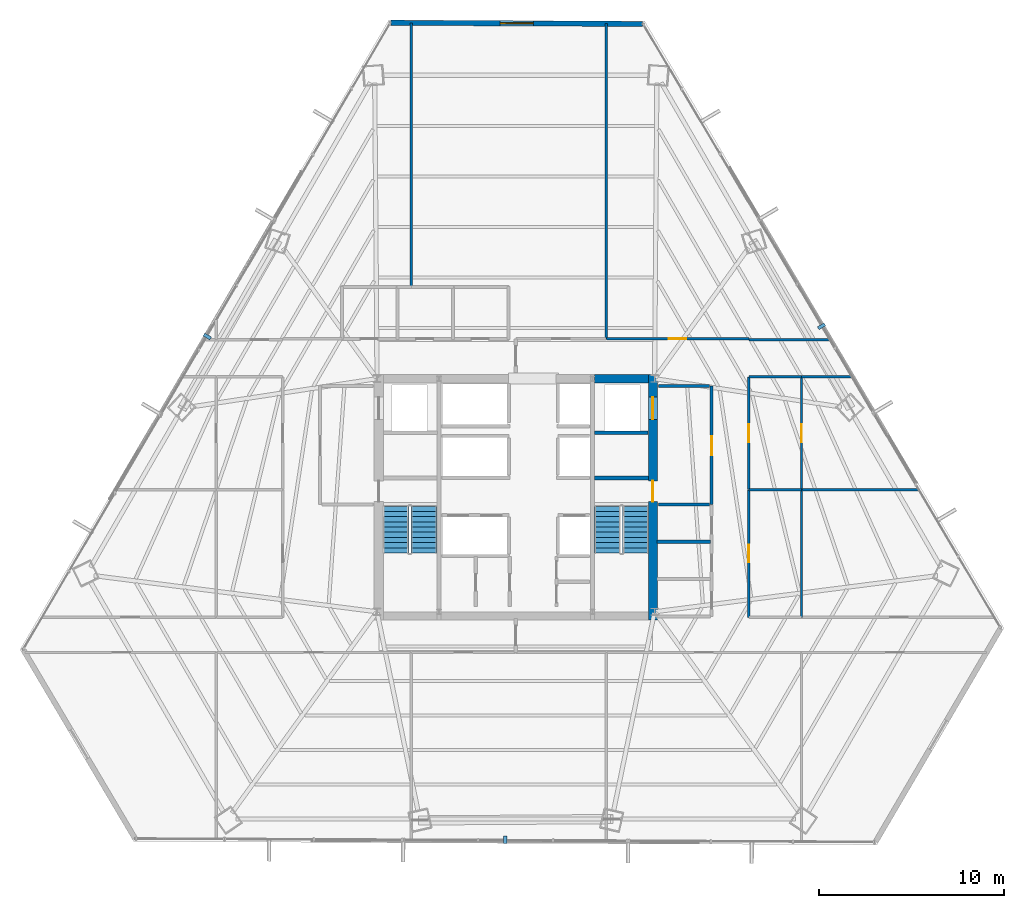
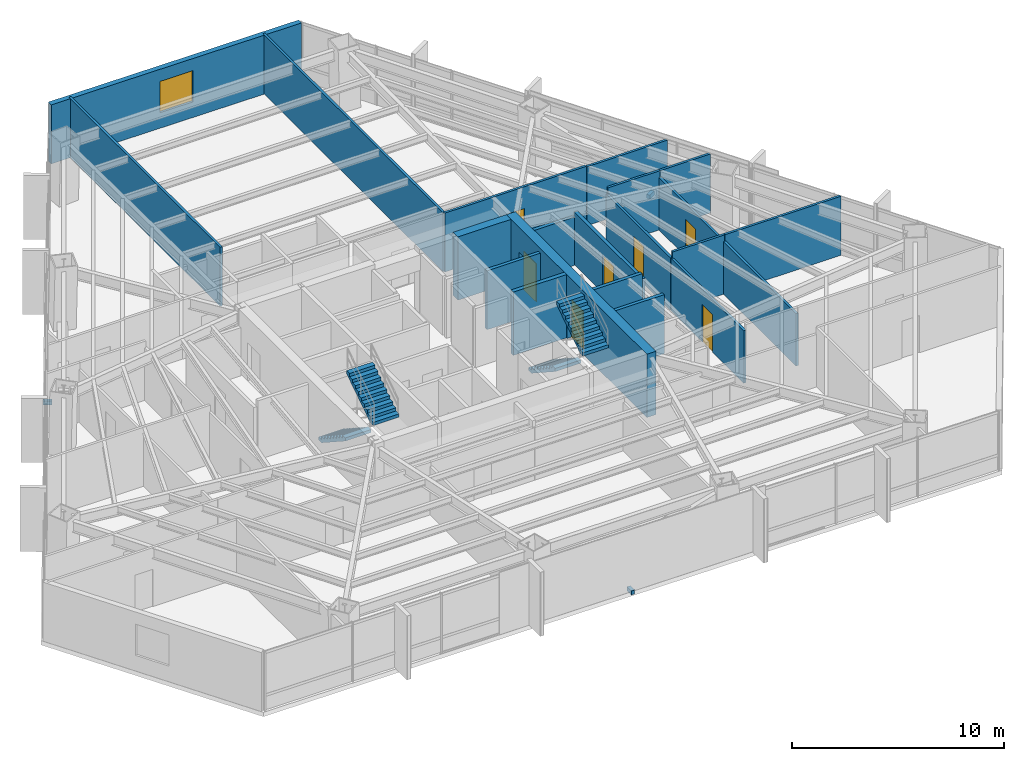
# One storey, part 32 of 35: 21 walls, 7 doors, 4 stair flights, 3 discrete accessories, 1 window, 8 openings, 2 elements without a shape of their own.
"""IFC4 building model written with IfcOpenShell, lengths in metres."""

import ifcopenshell
import ifcopenshell.guid

model = None  # the IFC model being written
_history = None  # IfcOwnerHistory: only IFC2X3 demands one
_inside = {}  # id of a spatial element -> (the spatial element, [elements in it])
_under = {}  # id of a project, library or spatial element -> (it, [spatial elements below it])
_declared = {}  # id of a project -> (the project, [libraries it declares])
_typed = {}  # id of a type object -> (the type object, [elements of that type])
_made_of = {}  # id of a material, layer set ... -> (it, [elements and type objects made of it])


def new_model(schema):
    """Start an empty IFC model of exactly this schema.

    Asked for "IFC4X3", IfcOpenShell would pick the latest addendum, in which some entities
    have other attributes; the version numbers below select the first issue.
    IFC2X3 requires an IfcOwnerHistory on every rooted entity: one is made here for all.
    """
    global model, _history
    if schema == "IFC4X3":
        model = ifcopenshell.file(schema_version=(4, 3, 0, 0))
    else:
        model = ifcopenshell.file(schema=schema)
    _inside.clear()
    _under.clear()
    _declared.clear()
    _typed.clear()
    _made_of.clear()
    _history = None
    if model.schema == "IFC2X3":
        org = make("IfcOrganization", Name="unknown")
        user = make(
            "IfcPersonAndOrganization",
            ThePerson=make("IfcPerson", FamilyName="unknown"),
            TheOrganization=org,
        )
        app = make(
            "IfcApplication",
            ApplicationDeveloper=org,
            Version="unknown",
            ApplicationFullName="unknown",
            ApplicationIdentifier="unknown",
        )
        _history = make(
            "IfcOwnerHistory",
            OwningUser=user,
            OwningApplication=app,
            ChangeAction="ADDED",
            CreationDate=0,
        )
    return model


def make(cls, **values):
    """One entity of the class cls with the attributes given. An attribute that is None is left unset."""
    return model.create_entity(
        cls, **{name: value for name, value in values.items() if value is not None}
    )


def rooted(cls, **values):
    """An entity with a GlobalId (a new one), such as an element, a storey or a relation."""
    return make(cls, GlobalId=ifcopenshell.guid.new(), OwnerHistory=_history, **values)


def si_unit(unit_type, name, prefix=None):
    """IfcSIUnit, for example si_unit("LENGTHUNIT", "METRE", prefix="MILLI")."""
    return make("IfcSIUnit", UnitType=unit_type, Prefix=prefix, Name=name)


def assignment(units):
    """IfcUnitAssignment: the units of a project."""
    return None if units is None else make("IfcUnitAssignment", Units=units)


def point(xyz):
    """IfcCartesianPoint."""
    return None if xyz is None else make("IfcCartesianPoint", Coordinates=xyz)


def direction(xyz):
    """IfcDirection."""
    return None if xyz is None else make("IfcDirection", DirectionRatios=xyz)


def frame(location, z_axis=None, x_axis=None):
    """IfcAxis2Placement3D, a coordinate frame: its origin and axes. An axis left out is left unset."""
    return make(
        "IfcAxis2Placement3D",
        Location=point(location),
        Axis=direction(z_axis),
        RefDirection=direction(x_axis),
    )


def frame_2d(location, x_axis=None):
    """IfcAxis2Placement2D, a coordinate frame in the plane: its origin and x axis."""
    return make(
        "IfcAxis2Placement2D", Location=point(location), RefDirection=direction(x_axis)
    )


def origin():
    """The frame at (0, 0, 0) with its axes left unset."""
    return frame((0.0, 0.0, 0.0))


def origin_2d():
    """The frame at (0, 0) in the plane with its x axis left unset."""
    return frame_2d((0.0, 0.0))


def place(relative_to, where):
    """IfcLocalPlacement: puts the frame where relative to a parent placement (None: the world)."""
    return make(
        "IfcLocalPlacement", PlacementRelTo=relative_to, RelativePlacement=where
    )


def context(
    kind, dimensions, precision=None, world=None, true_north=None, identifier=None
):
    """IfcGeometricRepresentationContext, for example the 3D "Model" context."""
    return make(
        "IfcGeometricRepresentationContext",
        ContextIdentifier=identifier,
        ContextType=kind,
        CoordinateSpaceDimension=dimensions,
        Precision=precision,
        WorldCoordinateSystem=world,
        TrueNorth=true_north,
    )


def subcontext(parent, identifier, kind, view, scale=None):
    """IfcGeometricRepresentationSubContext, for example "Body" below "Model"."""
    return make(
        "IfcGeometricRepresentationSubContext",
        ContextIdentifier=identifier,
        ContextType=kind,
        ParentContext=parent,
        TargetScale=scale,
        TargetView=view,
    )


def project(units=None, contexts=None):
    """IfcProject with its units and contexts."""
    return rooted(
        "IfcProject",
        Name="project",
        RepresentationContexts=contexts,
        UnitsInContext=assignment(units),
    )


def spatial(cls, under=None, at=None, **own):
    """A site, building, storey or space (cls), placed at a placement, below another one or the project."""
    s = rooted(cls, ObjectPlacement=at, **own)
    if under is not None:
        _under.setdefault(under.id(), (under, []))[1].append(s)
    return s


def polyline(points):
    """IfcPolyline through the points."""
    return make("IfcPolyline", Points=[point(p) for p in points])


def profile(cls, at=None, kind="AREA", **sizes):
    """A parametric profile (cls). Its sizes go by their IFC names, for example OverallWidth=200.0."""
    return make(cls, ProfileType=kind, Position=at, **sizes)


def rectangle(**sizes):
    """IfcRectangleProfileDef."""
    return profile("IfcRectangleProfileDef", **sizes)


def outline(outer, holes=None, kind="AREA"):
    """IfcArbitraryClosedProfileDef: a profile drawn as a closed curve; with holes, ...WithVoids."""
    if holes is None:
        return make("IfcArbitraryClosedProfileDef", ProfileType=kind, OuterCurve=outer)
    return make(
        "IfcArbitraryProfileDefWithVoids",
        ProfileType=kind,
        OuterCurve=outer,
        InnerCurves=holes,
    )


def extrude(swept, where, along, depth):
    """IfcExtrudedAreaSolid: the profile swept, set in the frame where, extruded along a direction by depth."""
    return make(
        "IfcExtrudedAreaSolid",
        SweptArea=swept,
        Position=where,
        ExtrudedDirection=direction(along),
        Depth=depth,
    )


def shape(context_of_items, identifier, shape_type, items):
    """IfcShapeRepresentation: the items that make up one representation, for example the "Body"."""
    return make(
        "IfcShapeRepresentation",
        ContextOfItems=context_of_items,
        RepresentationIdentifier=identifier,
        RepresentationType=shape_type,
        Items=items,
    )


def source(mapping_origin, context_of_items, identifier, shape_type, items):
    """IfcRepresentationMap: a shape defined once, which mapped items show again and again."""
    return make(
        "IfcRepresentationMap",
        MappingOrigin=mapping_origin,
        MappedRepresentation=shape(context_of_items, identifier, shape_type, items),
    )


def transform(
    local_origin,
    x_axis=None,
    y_axis=None,
    z_axis=None,
    scale=None,
    scale2=None,
    scale3=None,
    uniform=True,
):
    """IfcCartesianTransformationOperator3D, or its non-uniform kind. x_axis, y_axis, z_axis: its Axis1, 2, 3."""
    if uniform:
        return make(
            "IfcCartesianTransformationOperator3D",
            Axis1=direction(x_axis),
            Axis2=direction(y_axis),
            LocalOrigin=point(local_origin),
            Scale=scale,
            Axis3=direction(z_axis),
        )
    return make(
        "IfcCartesianTransformationOperator3DnonUniform",
        Axis1=direction(x_axis),
        Axis2=direction(y_axis),
        LocalOrigin=point(local_origin),
        Scale=scale,
        Axis3=direction(z_axis),
        Scale2=scale2,
        Scale3=scale3,
    )


def mapped(mapping_source, mapping_target):
    """IfcMappedItem: shows the shape of a source again, moved by a transform."""
    return make(
        "IfcMappedItem", MappingSource=mapping_source, MappingTarget=mapping_target
    )


def material(Name=None, Category=None):
    """IfcMaterial."""
    return make("IfcMaterial", Name=Name, Category=Category)


def layer(
    of_material, thickness, ventilated=None, Name=None, Category=None, Priority=None
):
    """IfcMaterialLayer: one layer of a wall or slab, of a material (None: an air gap)."""
    return make(
        "IfcMaterialLayer",
        Material=of_material,
        LayerThickness=thickness,
        IsVentilated=ventilated,
        Name=Name,
        Category=Category,
        Priority=Priority,
    )


def layer_set(layers, Name=None):
    """IfcMaterialLayerSet."""
    return make("IfcMaterialLayerSet", MaterialLayers=layers, LayerSetName=Name)


def made_of(thing, what):
    """Note that an element or type object is made of a material, layer set ...; save() writes the relation."""
    if what is not None:
        _made_of.setdefault(what.id(), (what, []))[1].append(thing)
    return thing


def type_object(cls, material=None, **own):
    """A type object (cls), such as IfcWallType, which elements share."""
    return made_of(rooted(cls, **own), material)


def type_shapes(of_type, sources):
    """Give a type object the sources (RepresentationMaps) that its elements show as mapped items."""
    of_type.RepresentationMaps = sources


def element(
    cls,
    number,
    at=None,
    inside=None,
    cuts=None,
    type_object=None,
    material=None,
    context=None,
    identifier="Body",
    shape_type=None,
    held_by="IfcProductDefinitionShape",
    body=None,
    shapes=None,
    **own,
):
    """One element of the class cls, such as IfcWall. Its Tag is "e" and its number.

    at: its placement. inside: the storey or other place that contains it. cuts: it is an
    opening in that element (IfcRelVoidsElement). A single representation is given by context,
    identifier, shape_type and body (its items); several are given by shapes. held_by: the class
    of the entity that holds the representations. save() writes the other relations.
    """
    e = rooted(cls, Tag="e%d" % number, ObjectPlacement=at, **own)
    if body is not None:
        shapes = [shape(context, identifier, shape_type, body)]
    if shapes is not None:
        e.Representation = make(held_by, Representations=shapes)
    if inside is not None:
        _inside.setdefault(inside.id(), (inside, []))[1].append(e)
    if cuts is not None:
        rooted(
            "IfcRelVoidsElement", RelatingBuildingElement=cuts, RelatedOpeningElement=e
        )
    if type_object is not None:
        _typed.setdefault(type_object.id(), (type_object, []))[1].append(e)
    return made_of(e, material)


def fill(opening, filler):
    """IfcRelFillsElement: the door or window that sits in an opening."""
    return rooted(
        "IfcRelFillsElement",
        RelatingOpeningElement=opening,
        RelatedBuildingElement=filler,
    )


def aggregate(whole, parts):
    """IfcRelAggregates: a whole, such as a stair, and the parts it consists of."""
    return rooted("IfcRelAggregates", RelatingObject=whole, RelatedObjects=parts)


def save(model, path):
    """Write the relations noted so far, then the file.

    IfcRelAggregates (storeys below a building ...), IfcRelContainedInSpatialStructure (elements
    in a storey), IfcRelDefinesByType, IfcRelAssociatesMaterial and IfcRelDeclares: one each for
    every whole, place, type object, material and project.
    """
    for whole, parts in _under.values():
        aggregate(whole, parts)
    for where, things in _inside.values():
        rooted(
            "IfcRelContainedInSpatialStructure",
            RelatedElements=things,
            RelatingStructure=where,
        )
    for kind, things in _typed.values():
        rooted("IfcRelDefinesByType", RelatedObjects=things, RelatingType=kind)
    for what, things in _made_of.values():
        rooted("IfcRelAssociatesMaterial", RelatedObjects=things, RelatingMaterial=what)
    for by, libraries in _declared.values():
        rooted("IfcRelDeclares", RelatingContext=by, RelatedDefinitions=libraries)
    model.write(path)


model = new_model("IFC4")

# Units and contexts
model_context = context("Model", 3, precision=1e-05, world=origin(), true_north=direction((0.0, 1.0)))
body_context = subcontext(model_context, "Body", "Model", "MODEL_VIEW")
ifc_project = project(units=[si_unit("LENGTHUNIT", "METRE"), si_unit("AREAUNIT", "SQUARE_METRE"), si_unit("VOLUMEUNIT", "CUBIC_METRE"), si_unit("PLANEANGLEUNIT", "RADIAN"), si_unit("MASSUNIT", "GRAM", prefix="KILO")], contexts=[model_context])

# Site, building, storey
site_placement = place(None, origin())
site = spatial("IfcSite", under=ifc_project, at=site_placement, CompositionType="ELEMENT")
building_placement = place(site_placement, origin())
building = spatial("IfcBuilding", under=site, at=building_placement, Name="Caelisora Broadcast Tower", CompositionType="ELEMENT")
storey_placement = place(building_placement, frame((0.0, 0.0, 94.449951171875)))
storey = spatial("IfcBuildingStorey", under=building, at=storey_placement, Name="L24", CompositionType="ELEMENT", Elevation=94.449951171875)

# Wall, openings, doors
ifc_material_1 = material(Name="Concrete 50 MPa (AS 3600 S50)", Category="concrete")
ifc_layer_1 = layer(ifc_material_1, 0.5, Name="Concrete 50 MPa (AS 3600 S50)")
ifc_layer_set_1 = layer_set([ifc_layer_1], Name="Concrete 50 MPa (AS 3600 S50)")
wall_type_1 = type_object("IfcWallType", Name="CW2", PredefinedType="SHEAR", material=ifc_layer_set_1)
wall_1_placement = place(storey_placement, frame((45.409912109375, 16.949951171875, 0.0), z_axis=(0.0, 0.0, 1.0), x_axis=(0.0, 1.0, 0.0)))
wall_1 = element("IfcWall", 1, at=wall_1_placement, inside=storey, type_object=wall_type_1, Name="L24 core shear wall CW2", PredefinedType="SHEAR", context=body_context, shape_type="SweptSolid", body=[
    extrude(rectangle(XDim=13.275146484375, YDim=0.5, at=frame_2d((6.6376953125, 0.0))), origin(), (0.0, 0.0, 1.0), 3.650146484375),
])
opening_1_placement = place(wall_1_placement, frame((6.39990234375, 0.0, 0.0)))
opening_1 = element("IfcOpeningElement", 2, at=opening_1_placement, cuts=wall_1, Name="Opening FD04", PredefinedType="OPENING", context=body_context, shape_type="SweptSolid", body=[
    extrude(rectangle(XDim=1.1201171875, YDim=2.14990234375, at=frame_2d((0.56005859375, 1.074951171875))), frame((0.0, 0.261962890625, 0.0), z_axis=(0.0, -1.0, 0.0), x_axis=(1.0, 0.0, 0.0)), (0.0, 0.0, 1.0), 0.52392578125),
])
opening_2_placement = place(wall_1_placement, frame((10.85009765625, 0.0, 0.0)))
opening_2 = element("IfcOpeningElement", 3, at=opening_2_placement, cuts=wall_1, Name="Opening LD04", PredefinedType="OPENING", context=body_context, shape_type="SweptSolid", body=[
    extrude(rectangle(XDim=1.199951171875, YDim=2.199951171875, at=frame_2d((0.60009765625, 1.10009765625))), frame((0.0, 0.261962890625, 0.0), z_axis=(0.0, -1.0, 0.0), x_axis=(1.0, 0.0, 0.0)), (0.0, 0.0, 1.0), 0.52392578125),
])
ifc_material_2 = material(Name="Pressurised Fire-Isolated Stair Door", Category="steel")
door_type_1 = type_object("IfcDoorType", Name="FD04", OperationType="NOTDEFINED", PredefinedType="DOOR", material=ifc_material_2)
door_1_placement = place(opening_1_placement, origin())
door_1 = element("IfcDoor", 4, at=door_1_placement, inside=storey, type_object=door_type_1, Name="L24 door FD04 (L24-DR-ST2)", OperationType="SINGLE_SWING_RIGHT", OverallHeight=2.14990234375, OverallWidth=1.1201171875, PredefinedType="DOOR", context=body_context, shape_type="SweptSolid", body=[
    extrude(rectangle(XDim=1.1201171875, YDim=2.14990234375, at=frame_2d((0.56005859375, 1.074951171875))), frame((0.0, 0.02490234375, 0.0), z_axis=(0.0, -1.0, 0.0), x_axis=(1.0, 0.0, 0.0)), (0.0, 0.0, 1.0), 0.050048828125),
])
fill(opening_1, door_1)
ifc_material_3 = material(Name="Emergency Firefighting Lift Sliding Landing Door", Category="steel")
door_type_2 = type_object("IfcDoorType", Name="LD04", OperationType="NOTDEFINED", PredefinedType="DOOR", material=ifc_material_3)
door_2_placement = place(opening_2_placement, origin())
door_2 = element("IfcDoor", 5, at=door_2_placement, inside=storey, type_object=door_type_2, Name="L24 door LD04 (L24-LD-FFL2)", OperationType="SLIDING_TO_RIGHT", OverallHeight=2.199951171875, OverallWidth=1.199951171875, PredefinedType="DOOR", context=body_context, shape_type="SweptSolid", body=[
    extrude(rectangle(XDim=1.199951171875, YDim=2.199951171875, at=frame_2d((0.60009765625, 1.10009765625))), frame((0.0, 0.02490234375, 0.0), z_axis=(0.0, -1.0, 0.0), x_axis=(1.0, 0.0, 0.0)), (0.0, 0.0, 1.0), 0.050048828125),
])
fill(opening_2, door_2)

# Walls
ifc_layer_2 = layer(ifc_material_1, 0.449951171875, Name="Concrete 50 MPa (AS 3600 S50)")
ifc_layer_set_2 = layer_set([ifc_layer_2], Name="Concrete 50 MPa (AS 3600 S50)")
wall_type_2 = type_object("IfcWallType", Name="CW5", PredefinedType="SHEAR", material=ifc_layer_set_2)
wall_2_placement = place(storey_placement, frame((42.260009765625, 30.0, 0.0), z_axis=(0.0, 0.0, 1.0), x_axis=(1.0, 0.0, 0.0)))
element("IfcWall", 6, at=wall_2_placement, inside=storey, type_object=wall_type_2, Name="L24 core shear wall CW5", PredefinedType="SHEAR", context=body_context, shape_type="SweptSolid", body=[
    extrude(rectangle(XDim=2.89990234375, YDim=0.449951171875, at=frame_2d((1.449951171875, 0.0))), origin(), (0.0, 0.0, 1.0), 3.650146484375),
])
ifc_layer_3 = layer(ifc_material_1, 0.219970703125, Name="Concrete 50 MPa (AS 3600 S50)")
ifc_layer_set_3 = layer_set([ifc_layer_3], Name="Concrete 50 MPa (AS 3600 S50)")
wall_type_3 = type_object("IfcWallType", Name="CW7", PredefinedType="SHEAR", material=ifc_layer_set_3)
wall_3_placement = place(storey_placement, frame((42.260009765625, 24.639892578125, 0.0), z_axis=(0.0, 0.0, 1.0), x_axis=(1.0, 0.0, 0.0)))
element("IfcWall", 7, at=wall_3_placement, inside=storey, type_object=wall_type_3, Name="L24 core shear wall CW7", PredefinedType="SHEAR", context=body_context, shape_type="SweptSolid", body=[
    extrude(rectangle(XDim=2.89990234375, YDim=0.219970703125, at=frame_2d((1.449951171875, 0.0))), origin(), (0.0, 0.0, 1.0), 3.650146484375),
])

# Wall, opening, window
ifc_material_4 = material(Name="Insulated Terracotta Spandrel Wall System", Category="masonry")
ifc_layer_4 = layer(ifc_material_4, 0.280029296875, Name="Insulated Terracotta Spandrel Wall System")
ifc_layer_set_4 = layer_set([ifc_layer_4], Name="Insulated Terracotta Spandrel Wall System")
wall_type_4 = type_object("IfcWallType", Name="EW1", PredefinedType="STANDARD", material=ifc_layer_set_4)
wall_4_placement = place(storey_placement, frame((31.2529296875, 49.23388671875, 0.0), z_axis=(0.0, 0.0, 1.0), x_axis=(0.999989362532, -0.004612463946, 0.0)))
wall_4 = element("IfcWall", 8, at=wall_4_placement, inside=storey, type_object=wall_type_4, Name="L24 exterior envelope wall EW1", PredefinedType="STANDARD", context=body_context, shape_type="SweptSolid", body=[
    extrude(rectangle(XDim=13.603271484375, YDim=0.280029296875, at=frame_2d((6.8017578125, 0.0))), origin(), (0.0, 0.0, 1.0), 3.400146484375),
])
opening_3_placement = place(wall_4_placement, frame((5.89990234375, 0.0, 0.89990234375)))
opening_3 = element("IfcOpeningElement", 9, at=opening_3_placement, cuts=wall_4, Name="Opening W01", PredefinedType="OPENING", context=body_context, shape_type="SweptSolid", body=[
    extrude(rectangle(XDim=1.800048828125, YDim=1.800048828125, at=frame_2d((0.89990234375, 0.89990234375))), frame((0.0, 0.152099609375, 0.0), z_axis=(0.0, -1.0, 0.0), x_axis=(1.0, 0.0, 0.0)), (0.0, 0.0, 1.0), 0.303955078125),
])
ifc_material_5 = material(Name="Double Glazed Terracotta-Framed Vision Window", Category="glass")
window_type = type_object("IfcWindowType", Name="W01", PartitioningType="SINGLE_PANEL", PredefinedType="WINDOW", material=ifc_material_5)
window_placement = place(opening_3_placement, origin())
window = element("IfcWindow", 10, at=window_placement, inside=storey, type_object=window_type, Name="L24 window W01 (L24-WN-CH8)", OverallHeight=1.800048828125, OverallWidth=1.800048828125, PartitioningType="SINGLE_PANEL", PredefinedType="WINDOW", context=body_context, shape_type="SweptSolid", body=[
    extrude(rectangle(XDim=1.800048828125, YDim=1.800048828125, at=frame_2d((0.89990234375, 0.89990234375))), frame((0.0, 0.030029296875, 0.0), z_axis=(0.0, -1.0, 0.0), x_axis=(1.0, 0.0, 0.0)), (0.0, 0.0, 1.0), 0.06005859375),
])
fill(opening_3, window)

# Wall, opening, door
ifc_material_6 = material(Name="Fire-Rated Gypsum Shaft and Compartment Wall", Category="gypsum")
ifc_layer_5 = layer(ifc_material_6, 0.179931640625, Name="Fire-Rated Gypsum Shaft and Compartment Wall")
ifc_layer_set_5 = layer_set([ifc_layer_5], Name="Fire-Rated Gypsum Shaft and Compartment Wall")
wall_type_5 = type_object("IfcWallType", Name="PW2", PredefinedType="PARTITIONING", material=ifc_layer_set_5)
wall_5_placement = place(storey_placement, frame((48.580078125, 23.199951171875, 0.0), z_axis=(0.0, 0.0, 1.0), x_axis=(0.0, 1.0, 0.0)))
wall_5 = element("IfcWall", 11, at=wall_5_placement, inside=storey, type_object=wall_type_5, Name="L24 fire compartment wall PW2", PredefinedType="PARTITIONING", context=body_context, shape_type="SweptSolid", body=[
    extrude(rectangle(XDim=6.400146484375, YDim=0.179931640625, at=frame_2d((3.2001953125, 0.0))), origin(), (0.0, 0.0, 1.0), 3.0263671875),
])
opening_4_placement = place(wall_5_placement, frame((2.64990234375, 0.0, 0.0)))
opening_4 = element("IfcOpeningElement", 12, at=opening_4_placement, cuts=wall_5, Name="Opening FD02", PredefinedType="OPENING", context=body_context, shape_type="SweptSolid", body=[
    extrude(rectangle(XDim=1.050048828125, YDim=2.14990234375, at=frame_2d((0.52490234375, 1.074951171875))), frame((0.0, 0.10205078125, 0.0), z_axis=(0.0, -1.0, 0.0), x_axis=(1.0, 0.0, 0.0)), (0.0, 0.0, 1.0), 0.203857421875),
])
ifc_material_7 = material(Name="Single-Leaf Steel Fire Lobby Door", Category="steel")
door_type_3 = type_object("IfcDoorType", Name="FD02", OperationType="NOTDEFINED", PredefinedType="DOOR", material=ifc_material_7)
door_3_placement = place(opening_4_placement, origin())
door_3 = element("IfcDoor", 13, at=door_3_placement, inside=storey, type_object=door_type_3, Name="L24 door FD02 (L24-DR-P04D1)", OperationType="SINGLE_SWING_LEFT", OverallHeight=2.14990234375, OverallWidth=1.050048828125, PredefinedType="DOOR", context=body_context, shape_type="SweptSolid", body=[
    extrude(rectangle(XDim=1.050048828125, YDim=2.14990234375, at=frame_2d((0.52490234375, 1.074951171875))), frame((0.0, 0.02490234375, 0.0), z_axis=(0.0, -1.0, 0.0), x_axis=(1.0, 0.0, 0.0)), (0.0, 0.0, 1.0), 0.050048828125),
])
fill(opening_4, door_3)

# Walls
wall_6_placement = place(storey_placement, frame((45.719970703125, 23.199951171875, 0.0), z_axis=(0.0, 0.0, 1.0), x_axis=(1.0, 0.0, 0.0)))
element("IfcWall", 14, at=wall_6_placement, inside=storey, type_object=wall_type_5, Name="L24 fire compartment wall PW2", PredefinedType="PARTITIONING", context=body_context, shape_type="SweptSolid", body=[
    extrude(rectangle(XDim=2.760009765625, YDim=0.179931640625, at=frame_2d((1.3798828125, 0.0))), origin(), (0.0, 0.0, 1.0), 3.400146484375),
])
wall_7_placement = place(storey_placement, frame((45.719970703125, 29.60009765625, 0.0), z_axis=(0.0, 0.0, 1.0), x_axis=(1.0, 0.0, 0.0)))
element("IfcWall", 15, at=wall_7_placement, inside=storey, type_object=wall_type_5, Name="L24 fire compartment wall PW2", PredefinedType="PARTITIONING", context=body_context, shape_type="SweptSolid", body=[
    extrude(rectangle(XDim=2.760009765625, YDim=0.179931640625, at=frame_2d((1.3798828125, 0.0))), origin(), (0.0, 0.0, 1.0), 2.782958984375),
])
for number, where, z_axis, x_axis, name in (
    (16, (42.239990234375, 27.070068359375, 0.0), (0.0, 0.0, 1.0), (1.0, 0.0, 0.0), "L24 fire compartment wall PW2"),
    (17, (45.6201171875, 21.18994140625, 0.0), (0.0, 0.0, 1.0), (1.0, 0.0, 0.0), "L24 fire compartment wall PW2"),
):
    element("IfcWall", number, at=place(storey_placement, frame(where, z_axis=z_axis, x_axis=x_axis)), inside=storey, type_object=wall_type_5, Name=name, PredefinedType="PARTITIONING", context=body_context, shape_type="SweptSolid", body=[
        extrude(rectangle(XDim=2.89990234375, YDim=0.179931640625, at=frame_2d((1.449951171875, 0.0))), origin(), (0.0, 0.0, 1.0), 3.400146484375),
    ])
ifc_material_8 = material(Name="Acoustic Steel-Stud Plasterboard Partition", Category="gypsum")
ifc_layer_6 = layer(ifc_material_8, 0.1298828125, Name="Acoustic Steel-Stud Plasterboard Partition")
ifc_layer_set_6 = layer_set([ifc_layer_6], Name="Acoustic Steel-Stud Plasterboard Partition")
wall_type_6 = type_object("IfcWallType", Name="PW3", PredefinedType="PARTITIONING", material=ifc_layer_set_6)
wall_8_placement = place(storey_placement, frame((42.889892578125, 32.155029296875, 0.0), z_axis=(0.0, 0.0, 1.0), x_axis=(0.0, 1.0, 0.0)))
element("IfcWall", 18, at=wall_8_placement, inside=storey, type_object=wall_type_6, Name="L24 internal partition PW3", PredefinedType="PARTITIONING", context=body_context, shape_type="SweptSolid", body=[
    extrude(rectangle(XDim=17.030517578125, YDim=0.1298828125, at=frame_2d((8.51513671875, 0.0))), origin(), (0.0, 0.0, 1.0), 3.400146484375),
])
wall_9_placement = place(storey_placement, frame((32.35009765625, 34.955078125, 0.0), z_axis=(0.0, 0.0, 1.0), x_axis=(0.0, 1.0, 0.0)))
element("IfcWall", 19, at=wall_9_placement, inside=storey, type_object=wall_type_6, Name="L24 internal partition PW3", PredefinedType="PARTITIONING", context=body_context, shape_type="SweptSolid", body=[
    extrude(rectangle(XDim=14.2783203125, YDim=0.1298828125, at=frame_2d((7.13916015625, 0.0))), origin(), (0.0, 0.0, 1.0), 3.400146484375),
])

# Wall, opening, door
wall_10_placement = place(storey_placement, frame((42.89501953125, 32.14990234375, 0.0), z_axis=(0.0, 0.0, 1.0), x_axis=(1.0, 0.0, 0.0)))
wall_10 = element("IfcWall", 20, at=wall_10_placement, inside=storey, type_object=wall_type_6, Name="L24 internal partition PW3", PredefinedType="PARTITIONING", context=body_context, shape_type="SweptSolid", body=[
    extrude(rectangle(XDim=7.699951171875, YDim=0.1298828125, at=frame_2d((3.85009765625, 0.0))), origin(), (0.0, 0.0, 1.0), 3.400146484375),
])
opening_5_placement = place(wall_10_placement, frame((3.3701171875, 0.0, 0.0)))
opening_5 = element("IfcOpeningElement", 21, at=opening_5_placement, cuts=wall_10, Name="Opening D01", PredefinedType="OPENING", context=body_context, shape_type="SweptSolid", body=[
    extrude(rectangle(XDim=0.9599609375, YDim=2.14990234375, at=frame_2d((0.47998046875, 1.074951171875))), frame((0.0, 0.076904296875, 0.0), z_axis=(0.0, -1.0, 0.0), x_axis=(1.0, 0.0, 0.0)), (0.0, 0.0, 1.0), 0.15380859375),
])
ifc_material_9 = material(Name="Solid-Core Timber Acoustic Office Door", Category="wood")
door_type_4 = type_object("IfcDoorType", Name="D01", OperationType="NOTDEFINED", PredefinedType="DOOR", material=ifc_material_9)
door_4_placement = place(opening_5_placement, origin())
door_4 = element("IfcDoor", 22, at=door_4_placement, inside=storey, type_object=door_type_4, Name="L24 door D01 (L24-DR-P42D1)", OperationType="SINGLE_SWING_RIGHT", OverallHeight=2.14990234375, OverallWidth=0.9599609375, PredefinedType="DOOR", context=body_context, shape_type="SweptSolid", body=[
    extrude(rectangle(XDim=0.9599609375, YDim=2.14990234375, at=frame_2d((0.47998046875, 1.074951171875))), frame((0.0, 0.02490234375, 0.0), z_axis=(0.0, -1.0, 0.0), x_axis=(1.0, 0.0, 0.0)), (0.0, 0.0, 1.0), 0.050048828125),
])
fill(opening_5, door_4)

wall_11_placement = place(storey_placement, frame((50.60009765625, 17.10498046875, 0.0), z_axis=(0.0, 0.0, 1.0), x_axis=(0.0, 1.0, 0.0)))
wall_11 = element("IfcWall", 23, at=wall_11_placement, inside=storey, type_object=wall_type_6, Name="L24 internal partition PW3", PredefinedType="PARTITIONING", context=body_context, shape_type="SweptSolid", body=[
    extrude(rectangle(XDim=6.89013671875, YDim=0.1298828125, at=frame_2d((3.445068359375, 0.0))), origin(), (0.0, 0.0, 1.0), 3.0263671875),
])
opening_6_placement = place(wall_11_placement, frame((2.965087890625, 0.0, 0.0)))
opening_6 = element("IfcOpeningElement", 24, at=opening_6_placement, cuts=wall_11, Name="Opening D01", PredefinedType="OPENING", context=body_context, shape_type="SweptSolid", body=[
    extrude(rectangle(XDim=0.9599609375, YDim=2.14990234375, at=frame_2d((0.47998046875, 1.074951171875))), frame((0.0, 0.076904296875, 0.0), z_axis=(0.0, -1.0, 0.0), x_axis=(1.0, 0.0, 0.0)), (0.0, 0.0, 1.0), 0.15380859375),
])
door_5_placement = place(opening_6_placement, origin())
door_5 = element("IfcDoor", 25, at=door_5_placement, inside=storey, type_object=door_type_4, Name="L24 door D01 (L24-DR-P44D1)", OperationType="SINGLE_SWING_RIGHT", OverallHeight=2.14990234375, OverallWidth=0.9599609375, PredefinedType="DOOR", context=body_context, shape_type="SweptSolid", body=[
    extrude(rectangle(XDim=0.9599609375, YDim=2.14990234375, at=frame_2d((0.47998046875, 1.074951171875))), frame((0.0, 0.02490234375, 0.0), z_axis=(0.0, -1.0, 0.0), x_axis=(1.0, 0.0, 0.0)), (0.0, 0.0, 1.0), 0.050048828125),
])
fill(opening_6, door_5)

# Walls
wall_12_placement = place(storey_placement, frame((53.43994140625, 17.10498046875, 0.0), z_axis=(0.0, 0.0, 1.0), x_axis=(0.0, 1.0, 0.0)))
element("IfcWall", 26, at=wall_12_placement, inside=storey, type_object=wall_type_6, Name="L24 internal partition PW3", PredefinedType="PARTITIONING", context=body_context, shape_type="SweptSolid", body=[
    extrude(rectangle(XDim=6.89013671875, YDim=0.1298828125, at=frame_2d((3.445068359375, 0.0))), origin(), (0.0, 0.0, 1.0), 3.0263671875),
])
wall_13_placement = place(storey_placement, frame((53.445068359375, 24.0, 0.0), z_axis=(0.0, 0.0, 1.0), x_axis=(1.0, 0.0, 0.0)))
element("IfcWall", 27, at=wall_13_placement, inside=storey, type_object=wall_type_6, Name="L24 internal partition PW3", PredefinedType="PARTITIONING", context=body_context, shape_type="SweptSolid", body=[
    extrude(rectangle(XDim=6.344482421875, YDim=0.1298828125, at=frame_2d((3.17236328125, 0.0))), origin(), (0.0, 0.0, 1.0), 3.400146484375),
])

# Wall, opening, door
wall_14_placement = place(storey_placement, frame((50.60009765625, 24.0048828125, 0.0), z_axis=(0.0, 0.0, 1.0), x_axis=(0.0, 1.0, 0.0)))
wall_14 = element("IfcWall", 28, at=wall_14_placement, inside=storey, type_object=wall_type_6, Name="L24 internal partition PW3", PredefinedType="PARTITIONING", context=body_context, shape_type="SweptSolid", body=[
    extrude(rectangle(XDim=6.090087890625, YDim=0.1298828125, at=frame_2d((3.044921875, 0.0))), origin(), (0.0, 0.0, 1.0), 3.0263671875),
])
opening_7_placement = place(wall_14_placement, frame((2.56494140625, 0.0, 0.0)))
opening_7 = element("IfcOpeningElement", 29, at=opening_7_placement, cuts=wall_14, Name="Opening D01", PredefinedType="OPENING", context=body_context, shape_type="SweptSolid", body=[
    extrude(rectangle(XDim=0.9599609375, YDim=2.14990234375, at=frame_2d((0.47998046875, 1.074951171875))), frame((0.0, 0.076904296875, 0.0), z_axis=(0.0, -1.0, 0.0), x_axis=(1.0, 0.0, 0.0)), (0.0, 0.0, 1.0), 0.15380859375),
])
door_6_placement = place(opening_7_placement, origin())
door_6 = element("IfcDoor", 30, at=door_6_placement, inside=storey, type_object=door_type_4, Name="L24 door D01 (L24-DR-P49D1)", OperationType="SINGLE_SWING_RIGHT", OverallHeight=2.14990234375, OverallWidth=0.9599609375, PredefinedType="DOOR", context=body_context, shape_type="SweptSolid", body=[
    extrude(rectangle(XDim=0.9599609375, YDim=2.14990234375, at=frame_2d((0.47998046875, 1.074951171875))), frame((0.0, 0.02490234375, 0.0), z_axis=(0.0, -1.0, 0.0), x_axis=(1.0, 0.0, 0.0)), (0.0, 0.0, 1.0), 0.050048828125),
])
fill(opening_7, door_6)

wall_15_placement = place(storey_placement, frame((53.43994140625, 24.0048828125, 0.0), z_axis=(0.0, 0.0, 1.0), x_axis=(0.0, 1.0, 0.0)))
wall_15 = element("IfcWall", 31, at=wall_15_placement, inside=storey, type_object=wall_type_6, Name="L24 internal partition PW3", PredefinedType="PARTITIONING", context=body_context, shape_type="SweptSolid", body=[
    extrude(rectangle(XDim=6.090087890625, YDim=0.1298828125, at=frame_2d((3.044921875, 0.0))), origin(), (0.0, 0.0, 1.0), 3.0263671875),
])
opening_8_placement = place(wall_15_placement, frame((2.56494140625, 0.0, 0.0)))
opening_8 = element("IfcOpeningElement", 32, at=opening_8_placement, cuts=wall_15, Name="Opening D01", PredefinedType="OPENING", context=body_context, shape_type="SweptSolid", body=[
    extrude(rectangle(XDim=0.9599609375, YDim=2.14990234375, at=frame_2d((0.47998046875, 1.074951171875))), frame((0.0, 0.076904296875, 0.0), z_axis=(0.0, -1.0, 0.0), x_axis=(1.0, 0.0, 0.0)), (0.0, 0.0, 1.0), 0.15380859375),
])
door_7_placement = place(opening_8_placement, origin())
door_7 = element("IfcDoor", 33, at=door_7_placement, inside=storey, type_object=door_type_4, Name="L24 door D01 (L24-DR-P50D1)", OperationType="SINGLE_SWING_LEFT", OverallHeight=2.14990234375, OverallWidth=0.9599609375, PredefinedType="DOOR", context=body_context, shape_type="SweptSolid", body=[
    extrude(rectangle(XDim=0.9599609375, YDim=2.14990234375, at=frame_2d((0.47998046875, 1.074951171875))), frame((0.0, 0.02490234375, 0.0), z_axis=(0.0, -1.0, 0.0), x_axis=(1.0, 0.0, 0.0)), (0.0, 0.0, 1.0), 0.050048828125),
])
fill(opening_8, door_7)

# Walls
wall_16_placement = place(storey_placement, frame((50.60498046875, 32.10009765625, 0.0), z_axis=(0.0, 0.0, 1.0), x_axis=(1.0, 0.0, 0.0)))
element("IfcWall", 34, at=wall_16_placement, inside=storey, type_object=wall_type_6, Name="L24 internal partition PW3", PredefinedType="PARTITIONING", context=body_context, shape_type="SweptSolid", body=[
    extrude(rectangle(XDim=4.390625, YDim=0.1298828125, at=frame_2d((2.1953125, 0.0))), origin(), (0.0, 0.0, 1.0), 3.400146484375),
])
wall_17_placement = place(storey_placement, frame((53.445068359375, 30.10009765625, 0.0), z_axis=(0.0, 0.0, 1.0), x_axis=(1.0, 0.0, 0.0)))
element("IfcWall", 35, at=wall_17_placement, inside=storey, type_object=wall_type_6, Name="L24 internal partition PW3", PredefinedType="PARTITIONING", context=body_context, shape_type="SweptSolid", body=[
    extrude(rectangle(XDim=2.734130859375, YDim=0.1298828125, at=frame_2d((1.3671875, 0.0))), origin(), (0.0, 0.0, 1.0), 3.400146484375),
])
for number, where, z_axis, x_axis, name in (
    (36, (50.60498046875, 30.10009765625, 0.0), (0.0, 0.0, 1.0), (1.0, 0.0, 0.0), "L24 internal partition PW3"),
    (37, (50.60498046875, 24.0, 0.0), (0.0, 0.0, 1.0), (1.0, 0.0, 0.0), "L24 internal partition PW3"),
):
    element("IfcWall", number, at=place(storey_placement, frame(where, z_axis=z_axis, x_axis=x_axis)), inside=storey, type_object=wall_type_6, Name=name, PredefinedType="PARTITIONING", context=body_context, shape_type="SweptSolid", body=[
        extrude(rectangle(XDim=2.830078125, YDim=0.1298828125, at=frame_2d((1.4150390625, 0.0))), origin(), (0.0, 0.0, 1.0), 3.400146484375),
    ])

# Stair, stair flights
ifc_material_10 = material(Name="Concrete 40 MPa (AS 3600 N40)", Category="concrete")
stair_type_1 = type_object("IfcStairType", Name="ST-1", PredefinedType="HALF_TURN_STAIR", material=ifc_material_10)
stair_1_placement = place(storey_placement, origin())
stair_1 = element("IfcStair", 38, at=stair_1_placement, inside=storey, type_object=stair_type_1, Name="L24 West Fire-Isolated Tower Stair", PredefinedType="HALF_TURN_STAIR")
stair_flight_type = type_object("IfcStairFlightType", Name="STF-2", PredefinedType="STRAIGHT", material=ifc_material_10)
stair_flight_1_placement = place(storey_placement, frame((31.52001953125, 23.10009765625, 0.0), z_axis=(0.0, 0.0, 1.0), x_axis=(0.0, -1.0, 0.0)))
stair_flight_1 = element("IfcStairFlight", 39, at=stair_flight_1_placement, type_object=stair_flight_type, Name="ST-1 flight 1", NumberOfRisers=10, NumberOfTreads=9, PredefinedType="STRAIGHT", RiserHeight=0.1825, TreadLength=0.28, context=body_context, shape_type="SweptSolid", body=[
    extrude(outline(polyline([(0.0, 0.0), (0.0, 0.1826171875), (0.280029296875, 0.1826171875), (0.280029296875, 0.364990234375), (0.56005859375, 0.364990234375), (0.56005859375, 0.547607421875), (0.840087890625, 0.547607421875), (0.840087890625, 0.72998046875), (1.1201171875, 0.72998046875), (1.1201171875, 0.91259765625), (1.39990234375, 0.91259765625), (1.39990234375, 1.094970703125), (1.679931640625, 1.094970703125), (1.679931640625, 1.277587890625), (1.9599609375, 1.277587890625), (1.9599609375, 1.4599609375), (2.239990234375, 1.4599609375), (2.239990234375, 1.642578125), (2.52001953125, 1.642578125), (2.52001953125, 1.824951171875), (2.52001953125, 1.463623046875), (0.2744140625, 0.0), (0.0, 0.0)])), frame((0.0, 0.699951171875, 0.0), z_axis=(0.0, -1.0, 0.0), x_axis=(1.0, 0.0, 0.0)), (0.0, 0.0, 1.0), 1.39990234375),
])
stair_flight_2_placement = place(storey_placement, frame((33.0400390625, 20.580078125, 1.824951171875), z_axis=(0.0, 0.0, 1.0), x_axis=(0.0, 1.0, 0.0)))
stair_flight_2 = element("IfcStairFlight", 40, at=stair_flight_2_placement, type_object=stair_flight_type, Name="ST-1 flight 2", NumberOfRisers=10, NumberOfTreads=9, PredefinedType="STRAIGHT", RiserHeight=0.1825, TreadLength=0.28, context=body_context, shape_type="SweptSolid", body=[
    extrude(outline(polyline([(0.0, 0.0), (0.0, 0.1826171875), (0.280029296875, 0.1826171875), (0.280029296875, 0.364990234375), (0.56005859375, 0.364990234375), (0.56005859375, 0.547607421875), (0.840087890625, 0.547607421875), (0.840087890625, 0.72998046875), (1.1201171875, 0.72998046875), (1.1201171875, 0.91259765625), (1.39990234375, 0.91259765625), (1.39990234375, 1.094970703125), (1.679931640625, 1.094970703125), (1.679931640625, 1.277587890625), (1.9599609375, 1.277587890625), (1.9599609375, 1.4599609375), (2.239990234375, 1.4599609375), (2.239990234375, 1.642578125), (2.52001953125, 1.642578125), (2.52001953125, 1.824951171875), (2.52001953125, 1.463623046875), (0.2744140625, 0.0), (0.0, 0.0)])), frame((0.0, 0.699951171875, 0.0), z_axis=(0.0, -1.0, 0.0), x_axis=(1.0, 0.0, 0.0)), (0.0, 0.0, 1.0), 1.39990234375),
])
aggregate(stair_1, [stair_flight_1, stair_flight_2])

stair_type_2 = type_object("IfcStairType", Name="ST-2", PredefinedType="HALF_TURN_STAIR", material=ifc_material_10)
stair_2_placement = place(storey_placement, origin())
stair_2 = element("IfcStair", 41, at=stair_2_placement, inside=storey, type_object=stair_type_2, Name="L24 East Fire-Isolated Tower Stair", PredefinedType="HALF_TURN_STAIR")
stair_flight_3_placement = place(storey_placement, frame((42.9599609375, 23.10009765625, 0.0), z_axis=(0.0, 0.0, 1.0), x_axis=(0.0, -1.0, 0.0)))
stair_flight_3 = element("IfcStairFlight", 42, at=stair_flight_3_placement, type_object=stair_flight_type, Name="ST-2 flight 1", NumberOfRisers=10, NumberOfTreads=9, PredefinedType="STRAIGHT", RiserHeight=0.1825, TreadLength=0.28, context=body_context, shape_type="SweptSolid", body=[
    extrude(outline(polyline([(0.0, 0.0), (0.0, 0.1826171875), (0.280029296875, 0.1826171875), (0.280029296875, 0.364990234375), (0.56005859375, 0.364990234375), (0.56005859375, 0.547607421875), (0.840087890625, 0.547607421875), (0.840087890625, 0.72998046875), (1.1201171875, 0.72998046875), (1.1201171875, 0.91259765625), (1.39990234375, 0.91259765625), (1.39990234375, 1.094970703125), (1.679931640625, 1.094970703125), (1.679931640625, 1.277587890625), (1.9599609375, 1.277587890625), (1.9599609375, 1.4599609375), (2.239990234375, 1.4599609375), (2.239990234375, 1.642578125), (2.52001953125, 1.642578125), (2.52001953125, 1.824951171875), (2.52001953125, 1.463623046875), (0.2744140625, 0.0), (0.0, 0.0)])), frame((0.0, 0.699951171875, 0.0), z_axis=(0.0, -1.0, 0.0), x_axis=(1.0, 0.0, 0.0)), (0.0, 0.0, 1.0), 1.39990234375),
])
stair_flight_4_placement = place(storey_placement, frame((44.47998046875, 20.580078125, 1.824951171875), z_axis=(0.0, 0.0, 1.0), x_axis=(0.0, 1.0, 0.0)))
stair_flight_4 = element("IfcStairFlight", 43, at=stair_flight_4_placement, type_object=stair_flight_type, Name="ST-2 flight 2", NumberOfRisers=10, NumberOfTreads=9, PredefinedType="STRAIGHT", RiserHeight=0.1825, TreadLength=0.28, context=body_context, shape_type="SweptSolid", body=[
    extrude(outline(polyline([(0.0, 0.0), (0.0, 0.1826171875), (0.280029296875, 0.1826171875), (0.280029296875, 0.364990234375), (0.56005859375, 0.364990234375), (0.56005859375, 0.547607421875), (0.840087890625, 0.547607421875), (0.840087890625, 0.72998046875), (1.1201171875, 0.72998046875), (1.1201171875, 0.91259765625), (1.39990234375, 0.91259765625), (1.39990234375, 1.094970703125), (1.679931640625, 1.094970703125), (1.679931640625, 1.277587890625), (1.9599609375, 1.277587890625), (1.9599609375, 1.4599609375), (2.239990234375, 1.4599609375), (2.239990234375, 1.642578125), (2.52001953125, 1.642578125), (2.52001953125, 1.824951171875), (2.52001953125, 1.463623046875), (0.2744140625, 0.0), (0.0, 0.0)])), frame((0.0, 0.699951171875, 0.0), z_axis=(0.0, -1.0, 0.0), x_axis=(1.0, 0.0, 0.0)), (0.0, 0.0, 1.0), 1.39990234375),
])
aggregate(stair_2, [stair_flight_3, stair_flight_4])

# Discrete accessories
ifc_material_11 = material(Name="Steel Grade 350 (AS/NZS 3679.1)", Category="steel")
discrete_accessory_type = type_object("IfcDiscreteAccessoryType", Name="BRK-1", PredefinedType="BRACKET", material=ifc_material_11)
shared_shape = source(origin(), body_context, "Body", "SweptSolid", [
    extrude(rectangle(XDim=0.179931640625, YDim=0.419921875, at=origin_2d()), origin(), (0.0, 0.0, 1.0), 0.219970703125),
])
type_shapes(discrete_accessory_type, [shared_shape])
for number, where, z_axis, x_axis, name in (
    (44, (21.32568359375, 32.279052734375, -0.16015625), (0.0, 0.0, 1.0), (-0.505431492718, -0.862866737202, 0.0), "L24 solar screen outrigger bracket #1"),
    (45, (37.432861328125, 5.074951171875, -0.16015625), (0.0, 0.0, 1.0), (0.999989703949, -0.004537840481, 0.0), "L24 solar screen outrigger bracket #2"),
    (46, (54.523681640625, 32.828857421875, -0.16015625), (0.0, 0.0, 1.0), (-0.509341840379, 0.860564285593, 0.0), "L24 solar screen outrigger bracket #3"),
):
    element("IfcDiscreteAccessory", number, at=place(storey_placement, frame(where, z_axis=z_axis, x_axis=x_axis)), inside=storey, type_object=discrete_accessory_type, Name=name, PredefinedType="BRACKET", context=body_context, shape_type="MappedRepresentation", body=[
        mapped(shared_shape, transform((0.0, 0.0, 0.0), scale=1.0)),
    ])

save(model, "model.ifc")
